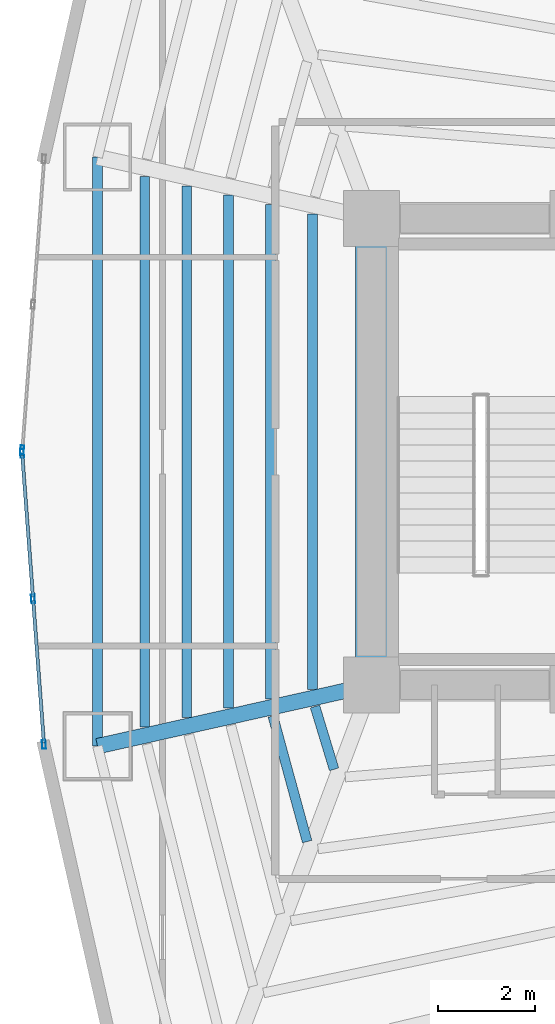
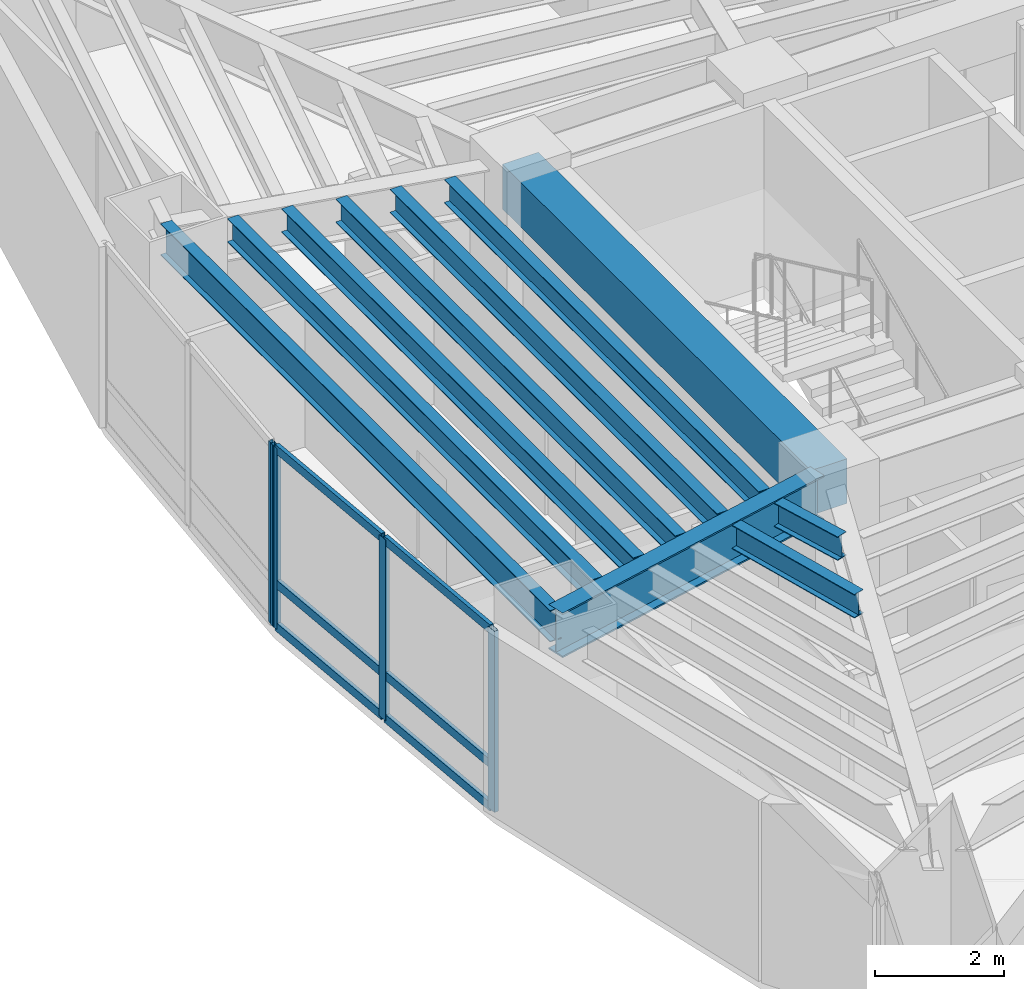
# One storey, part 3 of 20: 10 beams, 10 members, 2 elements without a shape of their own.
"""IFC4 building model written with IfcOpenShell, lengths in metres."""

from ifc_helpers import new_model, si_unit, direction, frame, origin, origin_2d, place, context, subcontext, project, spatial, rectangle, hollow_rectangle, i_section, extrude, material, layer, layer_set, material_profile, profile_set, type_object, element, aggregate, save


model = new_model("IFC4")

# Units and contexts
model_context = context("Model", 3, precision=1e-05, world=origin(), true_north=direction((0.0, 1.0)))
body_context = subcontext(model_context, "Body", "Model", "MODEL_VIEW")
ifc_project = project(units=[si_unit("LENGTHUNIT", "METRE"), si_unit("AREAUNIT", "SQUARE_METRE"), si_unit("VOLUMEUNIT", "CUBIC_METRE"), si_unit("PLANEANGLEUNIT", "RADIAN"), si_unit("MASSUNIT", "GRAM", prefix="KILO")], contexts=[model_context])

# Site, building, storey
site_placement = place(None, origin())
site = spatial("IfcSite", under=ifc_project, at=site_placement, CompositionType="ELEMENT")
building_placement = place(site_placement, origin())
building = spatial("IfcBuilding", under=site, at=building_placement, Name="Menara Vayukalpa", CompositionType="ELEMENT")
storey_placement = place(building_placement, frame((0.0, 0.0, 64.800048828125)))
storey = spatial("IfcBuildingStorey", under=building, at=storey_placement, Name="L15", CompositionType="ELEMENT", Elevation=64.800048828125)

# Beams
ifc_material_1 = material(Name="Concrete C60/75", Category="concrete")
ifc_material_profile_1 = material_profile(ifc_material_1, rectangle(XDim=0.64990234375, YDim=0.85009765625, at=origin_2d()), Name="RC 650x850")
ifc_profile_set_1 = profile_set([ifc_material_profile_1], Name="Concrete C60/75")
beam_type_1 = type_object("IfcBeamType", Name="BM-CB1", PredefinedType="BEAM", material=ifc_profile_set_1)
beam_1_placement = place(storey_placement, frame((17.800048828125, 17.199951171875, 3.014892578125), z_axis=(0.0, 1.0, 0.0), x_axis=(-1.0, 0.0, 0.0)))
element("IfcBeam", 1, at=beam_1_placement, inside=storey, type_object=beam_type_1, Name="L15 Core Tie Beam CBR7", PredefinedType="BEAM", context=body_context, shape_type="SweptSolid", body=[
    extrude(rectangle(XDim=0.64990234375, YDim=0.85009765625, at=origin_2d()), origin(), (0.0, 0.0, 1.0), 9.60009765625),
])
ifc_material_2 = material(Name="Steel S355", Category="steel")
ifc_material_profile_2 = material_profile(ifc_material_2, i_section(OverallWidth=0.320068359375, OverallDepth=0.85009765625, WebThickness=0.01611328125, FlangeThickness=0.030029296875, at=origin_2d()), Name="WF 850x320x16x30")
ifc_profile_set_2 = profile_set([ifc_material_profile_2], Name="Steel S355")
beam_type_2 = type_object("IfcBeamType", Name="BM-PG2", PredefinedType="BEAM", material=ifc_profile_set_2)
beam_2_placement = place(storey_placement, frame((17.555908203125, 17.1455078125, 3.014892578125), z_axis=(-0.975920137818, -0.218128138031, 0.0), x_axis=(0.218128138031, -0.975920137818, 0.0)))
element("IfcBeam", 2, at=beam_2_placement, inside=storey, type_object=beam_type_2, Name="L15 Primary Radial Girder RG06", PredefinedType="BEAM", context=body_context, shape_type="SweptSolid", body=[
    extrude(i_section(OverallWidth=0.320068359375, OverallDepth=0.85009765625, WebThickness=0.01611328125, FlangeThickness=0.030029296875, at=origin_2d()), origin(), (0.0, 0.0, 1.0), 5.524658203125),
])
ifc_material_3 = material(Name="Steel S355", Category="steel")
ifc_material_profile_3 = material_profile(ifc_material_3, i_section(OverallWidth=0.199951171875, OverallDepth=0.449951171875, WebThickness=0.009033203125, FlangeThickness=0.013916015625, at=origin_2d()), Name="WF 450x200x9x14")
ifc_profile_set_3 = profile_set([ifc_material_profile_3], Name="Steel S355")
beam_type_3 = type_object("IfcBeamType", Name="BM-SJ1", PredefinedType="JOIST", material=ifc_profile_set_3)
beam_3_placement = place(storey_placement, frame((16.58544921875, 26.891357421875, 3.21484375), z_axis=(0.0, -1.0, 0.0), x_axis=(1.0, 0.0, 0.0)))
element("IfcBeam", 3, at=beam_3_placement, inside=storey, type_object=beam_type_3, Name="L15 Secondary Floor Joist SJ05-1", PredefinedType="JOIST", context=body_context, shape_type="SweptSolid", body=[
    extrude(i_section(OverallWidth=0.199951171875, OverallDepth=0.449951171875, WebThickness=0.009033203125, FlangeThickness=0.013916015625, at=origin_2d()), origin(), (0.0, 0.0, 1.0), 9.78271484375),
])
beam_4_placement = place(storey_placement, frame((15.722900390625, 27.084228515625, 3.21484375), z_axis=(0.0, -1.0, 0.0), x_axis=(1.0, 0.0, 0.0)))
element("IfcBeam", 4, at=beam_4_placement, inside=storey, type_object=beam_type_3, Name="L15 Secondary Floor Joist SJ05-2", PredefinedType="JOIST", context=body_context, shape_type="SweptSolid", body=[
    extrude(i_section(OverallWidth=0.199951171875, OverallDepth=0.449951171875, WebThickness=0.009033203125, FlangeThickness=0.013916015625, at=origin_2d()), origin(), (0.0, 0.0, 1.0), 10.16845703125),
])
beam_5_placement = place(storey_placement, frame((14.860107421875, 27.277099609375, 3.21484375), z_axis=(0.0, -1.0, 0.0), x_axis=(1.0, 0.0, 0.0)))
element("IfcBeam", 5, at=beam_5_placement, inside=storey, type_object=beam_type_3, Name="L15 Secondary Floor Joist SJ05-3", PredefinedType="JOIST", context=body_context, shape_type="SweptSolid", body=[
    extrude(i_section(OverallWidth=0.199951171875, OverallDepth=0.449951171875, WebThickness=0.009033203125, FlangeThickness=0.013916015625, at=origin_2d()), origin(), (0.0, 0.0, 1.0), 10.55419921875),
])
beam_6_placement = place(storey_placement, frame((13.997314453125, 27.469970703125, 3.21484375), z_axis=(0.0, -1.0, 0.0), x_axis=(1.0, 0.0, 0.0)))
element("IfcBeam", 6, at=beam_6_placement, inside=storey, type_object=beam_type_3, Name="L15 Secondary Floor Joist SJ05-4", PredefinedType="JOIST", context=body_context, shape_type="SweptSolid", body=[
    extrude(i_section(OverallWidth=0.199951171875, OverallDepth=0.449951171875, WebThickness=0.009033203125, FlangeThickness=0.013916015625, at=origin_2d()), origin(), (0.0, 0.0, 1.0), 10.93994140625),
])
beam_7_placement = place(storey_placement, frame((13.134765625, 27.66259765625, 3.21484375), z_axis=(0.0, -1.0, 0.0), x_axis=(1.0, 0.0, 0.0)))
element("IfcBeam", 7, at=beam_7_placement, inside=storey, type_object=beam_type_3, Name="L15 Secondary Floor Joist SJ05-5", PredefinedType="JOIST", context=body_context, shape_type="SweptSolid", body=[
    extrude(i_section(OverallWidth=0.199951171875, OverallDepth=0.449951171875, WebThickness=0.009033203125, FlangeThickness=0.013916015625, at=origin_2d()), origin(), (0.0, 0.0, 1.0), 11.3251953125),
])
beam_8_placement = place(storey_placement, frame((16.6376953125, 16.75634765625, 3.21484375), z_axis=(0.291010568606, -0.956719838281, 0.0), x_axis=(0.956719838281, 0.291010568606, 0.0)))
element("IfcBeam", 8, at=beam_8_placement, inside=storey, type_object=beam_type_3, Name="L15 Secondary Floor Joist SJ06-1", PredefinedType="JOIST", context=body_context, shape_type="SweptSolid", body=[
    extrude(i_section(OverallWidth=0.199951171875, OverallDepth=0.449951171875, WebThickness=0.009033203125, FlangeThickness=0.013916015625, at=origin_2d()), origin(), (0.0, 0.0, 1.0), 1.3505859375),
])
beam_9_placement = place(storey_placement, frame((15.770263671875, 16.56201171875, 3.21484375), z_axis=(0.263618546233, -0.964627006714, 0.0), x_axis=(0.964627006714, 0.263618546233, 0.0)))
element("IfcBeam", 9, at=beam_9_placement, inside=storey, type_object=beam_type_3, Name="L15 Secondary Floor Joist SJ06-2", PredefinedType="JOIST", context=body_context, shape_type="SweptSolid", body=[
    extrude(i_section(OverallWidth=0.199951171875, OverallDepth=0.449951171875, WebThickness=0.009033203125, FlangeThickness=0.013916015625, at=origin_2d()), origin(), (0.0, 0.0, 1.0), 2.67919921875),
])
ifc_material_4 = material(Name="Steel S355", Category="steel")
ifc_material_profile_4 = material_profile(ifc_material_4, i_section(OverallWidth=0.199951171875, OverallDepth=0.60009765625, WebThickness=0.010986328125, FlangeThickness=0.01708984375, at=origin_2d()), Name="WF 600x200x11x17")
ifc_profile_set_4 = profile_set([ifc_material_profile_4], Name="Steel S355")
beam_type_4 = type_object("IfcBeamType", Name="BM-SP1", PredefinedType="SPANDREL", material=ifc_profile_set_4)
beam_10_placement = place(storey_placement, frame((12.164306640625, 28.0595703125, 3.139892578125), z_axis=(0.0, -1.0, 0.0), x_axis=(1.0, 0.0, 0.0)))
element("IfcBeam", 10, at=beam_10_placement, inside=storey, type_object=beam_type_4, Name="L15 Perimeter Spandrel Beam SP05", PredefinedType="SPANDREL", context=body_context, shape_type="SweptSolid", body=[
    extrude(i_section(OverallWidth=0.199951171875, OverallDepth=0.60009765625, WebThickness=0.010986328125, FlangeThickness=0.01708984375, at=origin_2d()), origin(), (0.0, 0.0, 1.0), 12.119140625),
])

# Curtain wall, member
ifc_material_5 = material(Name="Anodised Terracotta Aluminium Alloy 6063-T6", Category="masonry")
ifc_layer = layer(ifc_material_5, 0.179931640625)
ifc_layer_set = layer_set([ifc_layer], Name="Anodised Terracotta Aluminium Alloy 6063-T6")
curtain_wall_type = type_object("IfcCurtainWallType", Name="CW-CW4", PredefinedType="USERDEFINED", material=ifc_layer_set)
curtain_wall_1_placement = place(storey_placement, origin())
curtain_wall_1 = element("IfcCurtainWall", 11, at=curtain_wall_1_placement, inside=storey, type_object=curtain_wall_type, Name="L15 Sky Bar Cantilever Glazed Curtain Wall CW4 10", ObjectType="UNITISED", PredefinedType="USERDEFINED")
ifc_material_6 = material(Name="Anodised Terracotta Aluminium Alloy 6063-T6", Category="masonry")
ifc_material_profile_5 = material_profile(ifc_material_6, hollow_rectangle(XDim=0.074951171875, YDim=0.179931640625, WallThickness=0.00390625, at=origin_2d()), Name="ALU 75x180x4")
ifc_profile_set_5 = profile_set([ifc_material_profile_5], Name="Anodised Terracotta Aluminium Alloy 6063-T6")
member_type_1 = type_object("IfcMemberType", Name="CWM-CW4", PredefinedType="MULLION", material=ifc_profile_set_5)
member_1_placement = place(storey_placement, frame((10.612548828125, 22.037353515625, 0.0), z_axis=(0.0, 0.0, 1.0), x_axis=(0.997198941676, -0.074794857576, 0.0)))
member_1 = element("IfcMember", 12, at=member_1_placement, type_object=member_type_1, Name="CW4 mullion 3", PredefinedType="MULLION", context=body_context, shape_type="SweptSolid", body=[
    extrude(hollow_rectangle(XDim=0.074951171875, YDim=0.179931640625, WallThickness=0.00390625, at=origin_2d()), origin(), (0.0, 0.0, 1.0), 3.43994140625),
])
aggregate(curtain_wall_1, [member_1])

# Curtain wall, members
curtain_wall_2_placement = place(storey_placement, origin())
curtain_wall_2 = element("IfcCurtainWall", 13, at=curtain_wall_2_placement, inside=storey, type_object=curtain_wall_type, Name="L15 Sky Bar Cantilever Glazed Curtain Wall CW4 11", ObjectType="UNITISED", PredefinedType="USERDEFINED")
member_2_placement = place(storey_placement, frame((10.612548828125, 21.962646484375, 0.0), z_axis=(0.0, 0.0, 1.0), x_axis=(0.997198941676, 0.074794857576, 0.0)))
member_2 = element("IfcMember", 14, at=member_2_placement, type_object=member_type_1, Name="CW4 mullion 1", PredefinedType="MULLION", context=body_context, shape_type="SweptSolid", body=[
    extrude(hollow_rectangle(XDim=0.074951171875, YDim=0.179931640625, WallThickness=0.00390625, at=origin_2d()), origin(), (0.0, 0.0, 1.0), 3.43994140625),
])
member_3_placement = place(storey_placement, frame((10.8369140625, 18.97021484375, 0.0), z_axis=(0.0, 0.0, 1.0), x_axis=(0.997198941676, 0.074794857576, 0.0)))
member_3 = element("IfcMember", 15, at=member_3_placement, type_object=member_type_1, Name="CW4 mullion 2", PredefinedType="MULLION", context=body_context, shape_type="SweptSolid", body=[
    extrude(hollow_rectangle(XDim=0.074951171875, YDim=0.179931640625, WallThickness=0.00390625, at=origin_2d()), origin(), (0.0, 0.0, 1.0), 3.43994140625),
])
member_4_placement = place(storey_placement, frame((11.061279296875, 15.977783203125, 0.0), z_axis=(0.0, 0.0, 1.0), x_axis=(0.997198941676, 0.074794857576, 0.0)))
member_4 = element("IfcMember", 16, at=member_4_placement, type_object=member_type_1, Name="CW4 mullion 3", PredefinedType="MULLION", context=body_context, shape_type="SweptSolid", body=[
    extrude(hollow_rectangle(XDim=0.074951171875, YDim=0.179931640625, WallThickness=0.00390625, at=origin_2d()), origin(), (0.0, 0.0, 1.0), 3.43994140625),
])
ifc_material_7 = material(Name="Anodised Terracotta Aluminium Alloy 6063-T6", Category="masonry")
ifc_material_profile_6 = material_profile(ifc_material_7, hollow_rectangle(XDim=0.070068359375, YDim=0.1650390625, WallThickness=0.00390625, at=origin_2d()), Name="ALU 70x165x4")
ifc_profile_set_6 = profile_set([ifc_material_profile_6], Name="Anodised Terracotta Aluminium Alloy 6063-T6")
member_type_2 = type_object("IfcMemberType", Name="CWT-CW4", PredefinedType="USERDEFINED", material=ifc_profile_set_6)
member_5_placement = place(storey_placement, frame((10.615234375, 21.92529296875, 0.034912109375), z_axis=(0.074845955291, -0.997195107778, 0.0), x_axis=(0.997195107778, 0.074845955291, 0.0)))
member_5 = element("IfcMember", 17, at=member_5_placement, type_object=member_type_2, Name="CW4 transom 1.1", ObjectType="TRANSOM", PredefinedType="USERDEFINED", context=body_context, shape_type="SweptSolid", body=[
    extrude(hollow_rectangle(XDim=0.070068359375, YDim=0.1650390625, WallThickness=0.00390625, at=origin_2d()), origin(), (0.0, 0.0, 1.0), 2.926025390625),
])
member_6_placement = place(storey_placement, frame((10.615234375, 21.92529296875, 0.849853515625), z_axis=(0.074845955291, -0.997195107778, 0.0), x_axis=(0.997195107778, 0.074845955291, 0.0)))
member_6 = element("IfcMember", 18, at=member_6_placement, type_object=member_type_2, Name="CW4 transom 1.2", ObjectType="TRANSOM", PredefinedType="USERDEFINED", context=body_context, shape_type="SweptSolid", body=[
    extrude(hollow_rectangle(XDim=0.070068359375, YDim=0.1650390625, WallThickness=0.00390625, at=origin_2d()), origin(), (0.0, 0.0, 1.0), 2.926025390625),
])
member_7_placement = place(storey_placement, frame((10.615234375, 21.92529296875, 3.405029296875), z_axis=(0.074845955291, -0.997195107778, 0.0), x_axis=(0.997195107778, 0.074845955291, 0.0)))
member_7 = element("IfcMember", 19, at=member_7_placement, type_object=member_type_2, Name="CW4 transom 1.3", ObjectType="TRANSOM", PredefinedType="USERDEFINED", context=body_context, shape_type="SweptSolid", body=[
    extrude(hollow_rectangle(XDim=0.070068359375, YDim=0.1650390625, WallThickness=0.00390625, at=origin_2d()), origin(), (0.0, 0.0, 1.0), 2.926025390625),
])
member_8_placement = place(storey_placement, frame((10.83984375, 18.932861328125, 0.034912109375), z_axis=(0.074762981632, -0.997201332017, 0.0), x_axis=(0.997201332017, 0.074762981632, 0.0)))
member_8 = element("IfcMember", 20, at=member_8_placement, type_object=member_type_2, Name="CW4 transom 2.1", ObjectType="TRANSOM", PredefinedType="USERDEFINED", context=body_context, shape_type="SweptSolid", body=[
    extrude(hollow_rectangle(XDim=0.070068359375, YDim=0.1650390625, WallThickness=0.00390625, at=origin_2d()), origin(), (0.0, 0.0, 1.0), 2.926025390625),
])
member_9_placement = place(storey_placement, frame((10.83984375, 18.932861328125, 0.849853515625), z_axis=(0.074762981632, -0.997201332017, 0.0), x_axis=(0.997201332017, 0.074762981632, 0.0)))
member_9 = element("IfcMember", 21, at=member_9_placement, type_object=member_type_2, Name="CW4 transom 2.2", ObjectType="TRANSOM", PredefinedType="USERDEFINED", context=body_context, shape_type="SweptSolid", body=[
    extrude(hollow_rectangle(XDim=0.070068359375, YDim=0.1650390625, WallThickness=0.00390625, at=origin_2d()), origin(), (0.0, 0.0, 1.0), 2.926025390625),
])
member_10_placement = place(storey_placement, frame((10.83984375, 18.932861328125, 3.405029296875), z_axis=(0.074762981632, -0.997201332017, 0.0), x_axis=(0.997201332017, 0.074762981632, 0.0)))
member_10 = element("IfcMember", 22, at=member_10_placement, type_object=member_type_2, Name="CW4 transom 2.3", ObjectType="TRANSOM", PredefinedType="USERDEFINED", context=body_context, shape_type="SweptSolid", body=[
    extrude(hollow_rectangle(XDim=0.070068359375, YDim=0.1650390625, WallThickness=0.00390625, at=origin_2d()), origin(), (0.0, 0.0, 1.0), 2.926025390625),
])
aggregate(curtain_wall_2, [member_2, member_3, member_4, member_5, member_6, member_7, member_8, member_9, member_10])

save(model, "model.ifc")
